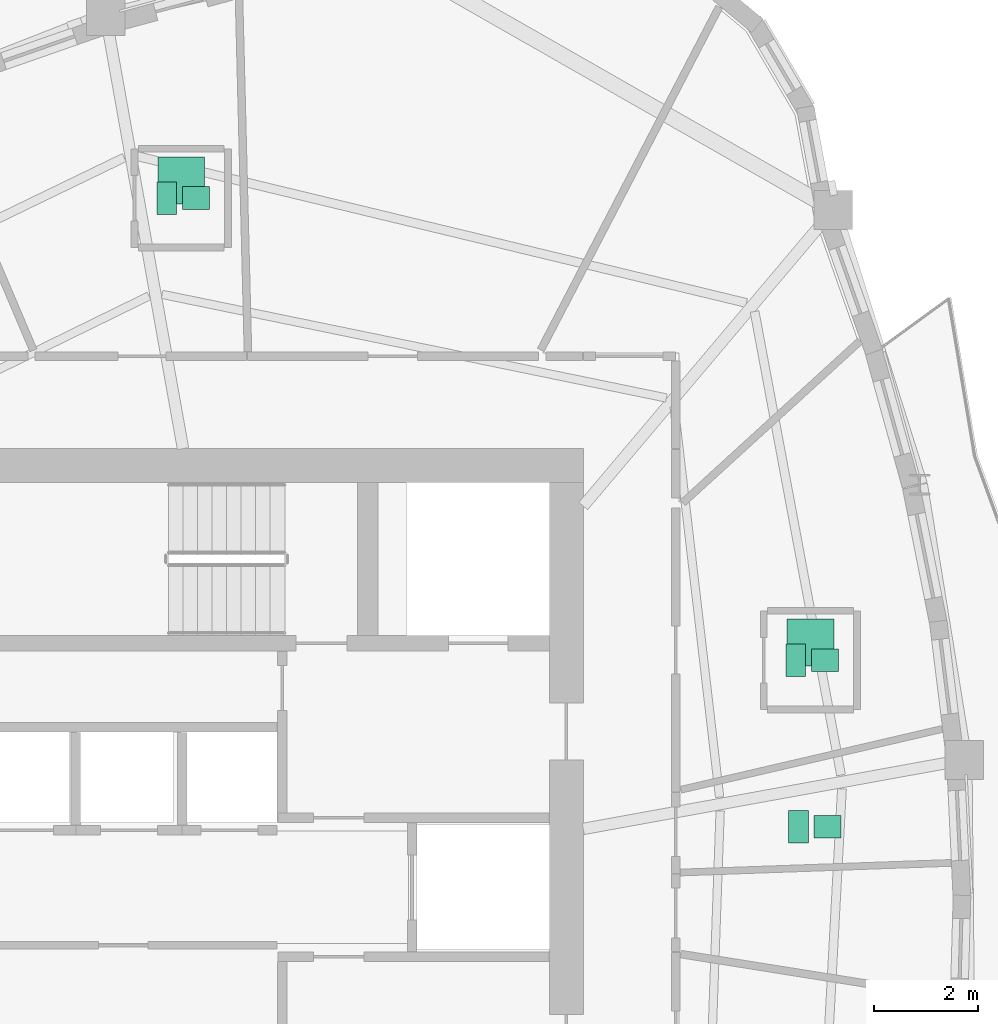
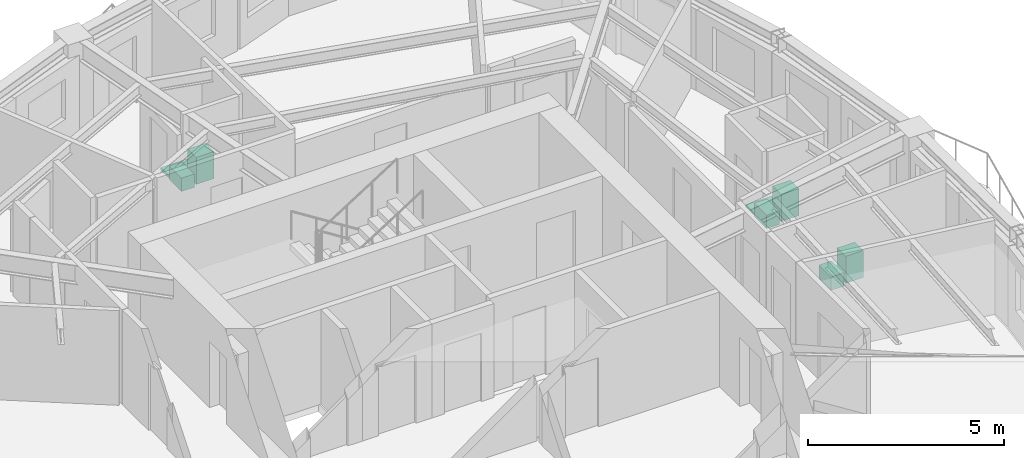
# One storey, part 12 of 12: 8 sanitary terminals.
"""IFC4 building model written with IfcOpenShell, lengths in metres."""

from ifc_helpers import new_model, si_unit, direction, frame, origin, origin_2d, place, context, subcontext, project, spatial, rectangle, extrude, source, transform, mapped, material, type_object, element, save


model = new_model("IFC4")

# Units and contexts
model_context = context("Model", 3, precision=1e-05, world=origin(), true_north=direction((0.0, 1.0)))
body_context = subcontext(model_context, "Body", "Model", "MODEL_VIEW")
ifc_project = project(units=[si_unit("LENGTHUNIT", "METRE"), si_unit("AREAUNIT", "SQUARE_METRE"), si_unit("VOLUMEUNIT", "CUBIC_METRE"), si_unit("PLANEANGLEUNIT", "RADIAN"), si_unit("MASSUNIT", "GRAM", prefix="KILO")], contexts=[model_context])

# Site, building, storey
site_placement = place(None, origin())
site = spatial("IfcSite", under=ifc_project, at=site_placement, CompositionType="ELEMENT")
building_placement = place(site_placement, origin())
building = spatial("IfcBuilding", under=site, at=building_placement, Name="Qafzar Sky-Pleat Residences", CompositionType="ELEMENT")
storey_placement = place(building_placement, frame((0.0, 0.0, 139.39990234375)))
storey = spatial("IfcBuildingStorey", under=building, at=storey_placement, Name="L41", CompositionType="ELEMENT", Elevation=139.39990234375)

# Sanitary terminals
ifc_material_1 = material(Name="Vitreous china sanitaryware")
sanitary_terminal_type_1 = type_object("IfcSanitaryTerminalType", Name="SAN-WC-PAN", PredefinedType="TOILETPAN", material=ifc_material_1)
shared_shape_1 = source(origin(), body_context, "Body", "SweptSolid", [
    extrude(rectangle(XDim=0.3798828125, YDim=0.6201171875, at=origin_2d()), origin(), (0.0, 0.0, 1.0), 0.419921875),
])
for number, where, z_axis, x_axis, name in (
    (1, (40.694580078125, 27.16650390625, 0.000244140625), (0.0, 0.0, 1.0), (1.0, 0.0, 0.0), "L41 Accessible Shared Washroom WC Pan"),
    (2, (40.64501953125, 30.375, 0.000244140625), (0.0, 0.0, 1.0), (1.0, 0.0, 0.0), "L41 En-suite Bathroom 1 WC Pan"),
    (3, (28.52587890625, 39.27490234375, 0.000244140625), (0.0, 0.0, 1.0), (1.0, 0.0, 0.0), "L41 En-suite Bathroom 2 WC Pan"),
):
    element("IfcSanitaryTerminal", number, at=place(storey_placement, frame(where, z_axis=z_axis, x_axis=x_axis)), inside=storey, type_object=sanitary_terminal_type_1, Name=name, PredefinedType="TOILETPAN", context=body_context, shape_type="MappedRepresentation", body=[
        mapped(shared_shape_1, transform((0.0, 0.0, 0.0), x_axis=(1.0, 0.0, 0.0), y_axis=(0.0, 1.0, 0.0), z_axis=(0.0, 0.0, 1.0), scale=1.0)),
    ])
sanitary_terminal_type_2 = type_object("IfcSanitaryTerminalType", Name="SAN-BASIN", PredefinedType="WASHHANDBASIN", material=ifc_material_1)
shared_shape_2 = source(origin(), body_context, "Body", "SweptSolid", [
    extrude(rectangle(XDim=0.52001953125, YDim=0.43994140625, at=origin_2d()), origin(), (0.0, 0.0, 1.0), 0.840087890625),
])
for number, where, z_axis, x_axis, name in (
    (4, (41.254638671875, 27.16650390625, 0.0), (0.0, 0.0, 1.0), (1.0, 0.0, 0.0), "L41 Accessible Shared Washroom Pedestal Washbasin"),
    (5, (41.205078125, 30.375, 0.0), (0.0, 0.0, 1.0), (1.0, 0.0, 0.0), "L41 En-suite Bathroom 1 Pedestal Washbasin"),
    (6, (29.0859375, 39.27490234375, 0.0), (0.0, 0.0, 1.0), (1.0, 0.0, 0.0), "L41 En-suite Bathroom 2 Pedestal Washbasin"),
):
    element("IfcSanitaryTerminal", number, at=place(storey_placement, frame(where, z_axis=z_axis, x_axis=x_axis)), inside=storey, type_object=sanitary_terminal_type_2, Name=name, PredefinedType="WASHHANDBASIN", context=body_context, shape_type="MappedRepresentation", body=[
        mapped(shared_shape_2, transform((0.0, 0.0, 0.0), x_axis=(1.0, 0.0, 0.0), y_axis=(0.0, 1.0, 0.0), z_axis=(0.0, 0.0, 1.0), scale=1.0)),
    ])
ifc_material_2 = material(Name="Vitreous china and acrylic tray")
sanitary_terminal_type_3 = type_object("IfcSanitaryTerminalType", Name="SAN-SHOWER", PredefinedType="SHOWER", material=ifc_material_2)
shared_shape_3 = source(origin(), body_context, "Body", "SweptSolid", [
    extrude(rectangle(XDim=0.89990234375, YDim=0.89990234375, at=origin_2d()), origin(), (0.0, 0.0, 1.0), 0.080078125),
])
for number, where, z_axis, x_axis, name in (
    (7, (40.925048828125, 30.715087890625, 0.0), (0.0, 0.0, 1.0), (1.0, 0.0, 0.0), "L41 En-suite Bathroom 1 Walk-In Shower"),
    (8, (28.805908203125, 39.614990234375, 0.0), (0.0, 0.0, 1.0), (1.0, 0.0, 0.0), "L41 En-suite Bathroom 2 Walk-In Shower"),
):
    element("IfcSanitaryTerminal", number, at=place(storey_placement, frame(where, z_axis=z_axis, x_axis=x_axis)), inside=storey, type_object=sanitary_terminal_type_3, Name=name, PredefinedType="SHOWER", context=body_context, shape_type="MappedRepresentation", body=[
        mapped(shared_shape_3, transform((0.0, 0.0, 0.0), x_axis=(1.0, 0.0, 0.0), y_axis=(0.0, 1.0, 0.0), z_axis=(0.0, 0.0, 1.0), scale=1.0)),
    ])

save(model, "model.ifc")
